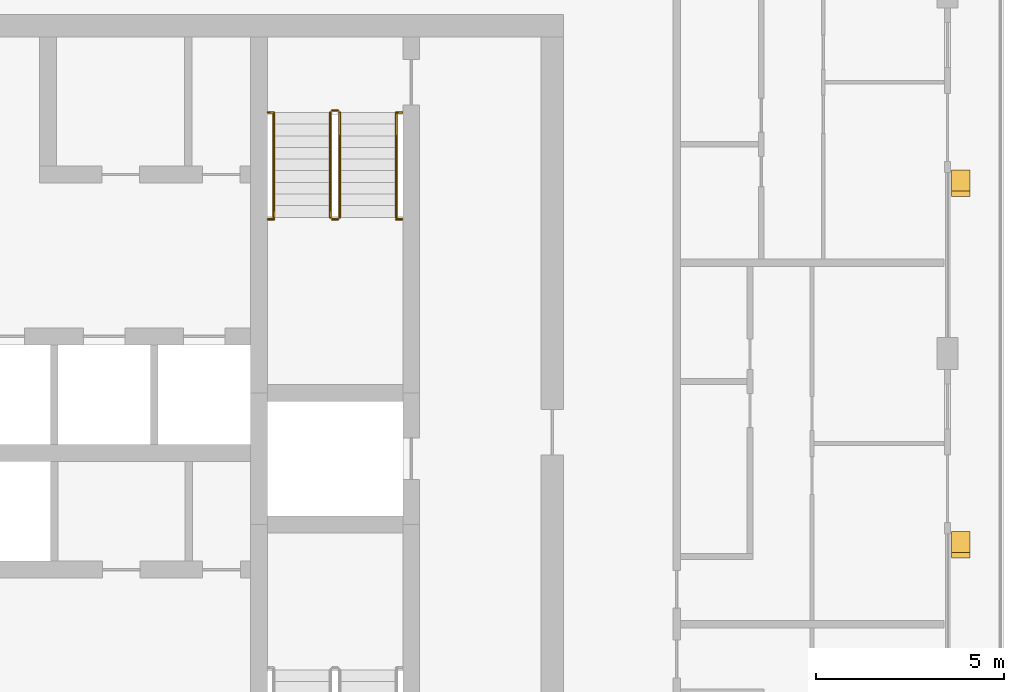
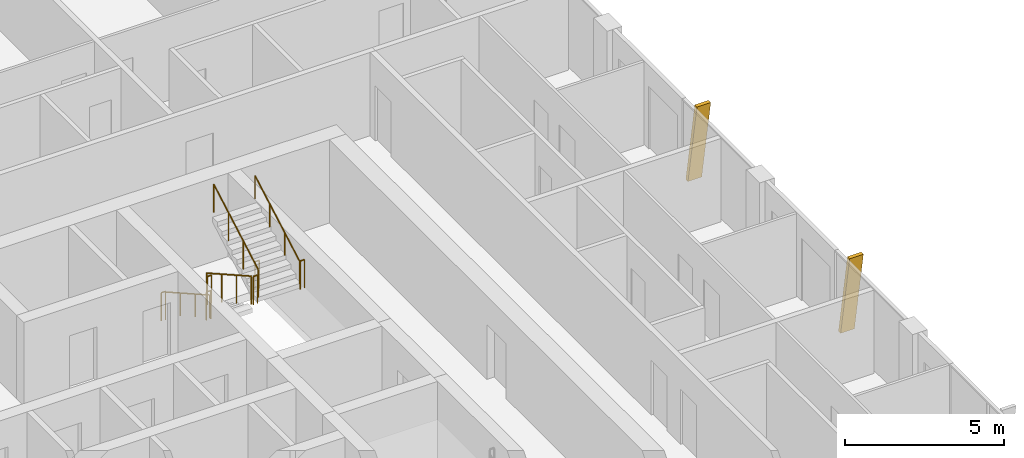
# One storey, part 21 of 22: 10 railings, 2 shading devices.
"""IFC4 building model written with IfcOpenShell, lengths in metres."""

from ifc_helpers import new_model, si_unit, direction, frame, origin, origin_2d, place, context, subcontext, project, spatial, polyline, circle, outline, extrude, material, type_object, element, save


model = new_model("IFC4")

# Units and contexts
model_context = context("Model", 3, precision=1e-05, world=origin(), true_north=direction((0.0, 1.0)))
body_context = subcontext(model_context, "Body", "Model", "MODEL_VIEW")
ifc_project = project(units=[si_unit("LENGTHUNIT", "METRE"), si_unit("AREAUNIT", "SQUARE_METRE"), si_unit("VOLUMEUNIT", "CUBIC_METRE"), si_unit("PLANEANGLEUNIT", "RADIAN"), si_unit("MASSUNIT", "GRAM", prefix="KILO")], contexts=[model_context])

# Site, building, storey
site_placement = place(None, origin())
site = spatial("IfcSite", under=ifc_project, at=site_placement, CompositionType="ELEMENT")
building_placement = place(site_placement, origin())
building = spatial("IfcBuilding", under=site, at=building_placement, Name="Madar Terraces", CompositionType="ELEMENT")
storey_placement = place(building_placement, frame((0.0, 0.0, 249.199951171875)))
storey = spatial("IfcBuildingStorey", under=building, at=storey_placement, Name="L65", CompositionType="ELEMENT", Elevation=249.199951171875)

# Shading devices
ifc_material_1 = material(Name="Aluminium, black anodised", Category="aluminium")
shading_device_type = type_object("IfcShadingDeviceType", Name="Facade fin blade 140 x 500", PredefinedType="USERDEFINED", material=ifc_material_1)
shading_device_1_placement = place(storey_placement, frame((57.949951171875, 23.929931640625, 0.0), z_axis=(0.0, 0.0, 1.0), x_axis=(0.0, 1.0, 0.0)))
element("IfcShadingDevice", 1, at=shading_device_1_placement, inside=storey, type_object=shading_device_type, Name="FIN L65 E2", ObjectType="FIN", PredefinedType="USERDEFINED", context=body_context, shape_type="SweptSolid", body=[
    extrude(outline(polyline([(0.0, 0.0), (0.14013671875, 0.0), (-0.42431640625, 3.199951171875), (-0.564208984375, 3.199951171875), (0.0, 0.0)])), frame((0.0, 0.25, 0.0), z_axis=(0.0, -1.0, 0.0), x_axis=(1.0, 0.0, 0.0)), (0.0, 0.0, 1.0), 0.5),
])
shading_device_2_placement = place(storey_placement, frame((57.949951171875, 33.530029296875, 0.0), z_axis=(0.0, 0.0, 1.0), x_axis=(0.0, 1.0, 0.0)))
element("IfcShadingDevice", 2, at=shading_device_2_placement, inside=storey, type_object=shading_device_type, Name="FIN L65 E3", ObjectType="FIN", PredefinedType="USERDEFINED", context=body_context, shape_type="SweptSolid", body=[
    extrude(outline(polyline([(0.0, 0.0), (0.139892578125, 0.0), (-0.42431640625, 3.199951171875), (-0.564208984375, 3.199951171875), (0.0, 0.0)])), frame((0.0, 0.25, 0.0), z_axis=(0.0, -1.0, 0.0), x_axis=(1.0, 0.0, 0.0)), (0.0, 0.0, 1.0), 0.5),
])

# Railings
ifc_material_2 = material(Name="Stainless steel railing", Category="steel")
railing_type_1 = type_object("IfcRailingType", Name="Stair guard 1100", PredefinedType="GUARDRAIL", material=ifc_material_2)
railing_1_placement = place(storey_placement, frame((41.199951171875, 35.199951171875, 0.175048828125)))
element("IfcRailing", 3, at=railing_1_placement, inside=storey, type_object=railing_type_1, Name="L65 ST2 stair guard 1", PredefinedType="GUARDRAIL", context=body_context, shape_type="SweptSolid", body=[
    extrude(circle(Radius=0.02392578125, at=origin_2d()), frame((0.0, 0.0, 1.076171875), z_axis=(0.0, -0.870833779661, 0.491577591232), x_axis=(1.0, 0.0, 0.0)), (0.0, 0.0, 1.0), 3.203857421875),
    extrude(circle(Radius=0.02099609375, at=origin_2d()), origin(), (0.0, 0.0, 1.0), 1.052001953125),
    extrude(circle(Radius=0.02099609375, at=origin_2d()), frame((0.0, -0.929931640625, 0.52490234375)), (0.0, 0.0, 1.0), 1.052001953125),
    extrude(circle(Radius=0.02099609375, at=origin_2d()), frame((0.0, -1.860107421875, 1.050048828125)), (0.0, 0.0, 1.0), 1.052001953125),
    extrude(circle(Radius=0.02099609375, at=origin_2d()), frame((0.0, -2.7900390625, 1.574951171875)), (0.0, 0.0, 1.0), 1.052001953125),
])
railing_2_placement = place(storey_placement, frame((41.25, 32.360107421875, 1.75)))
element("IfcRailing", 4, at=railing_2_placement, inside=storey, type_object=railing_type_1, Name="L65 ST2 stair guard 2", PredefinedType="GUARDRAIL", context=body_context, shape_type="SweptSolid", body=[
    extrude(circle(Radius=0.02392578125, at=origin_2d()), frame((0.0, 0.0, 1.076171875), z_axis=(1.0, 0.0, 0.0), x_axis=(0.0, 1.0, 0.0)), (0.0, 0.0, 1.0), 0.14990234375),
    extrude(circle(Radius=0.02099609375, at=origin_2d()), origin(), (0.0, 0.0, 1.0), 1.052001953125),
    extrude(circle(Radius=0.02099609375, at=origin_2d()), frame((0.14990234375, 0.0, 0.0)), (0.0, 0.0, 1.0), 1.052001953125),
])
railing_3_placement = place(storey_placement, frame((41.449951171875, 32.409912109375, 1.925048828125)))
element("IfcRailing", 5, at=railing_3_placement, inside=storey, type_object=railing_type_1, Name="L65 ST2 stair guard 3", PredefinedType="GUARDRAIL", context=body_context, shape_type="SweptSolid", body=[
    extrude(circle(Radius=0.02392578125, at=origin_2d()), frame((0.0, 0.0, 1.076171875), z_axis=(0.0, 0.870833779661, 0.491577591232), x_axis=(-1.0, 0.0, 0.0)), (0.0, 0.0, 1.0), 3.203857421875),
    extrude(circle(Radius=0.02099609375, at=origin_2d()), origin(), (0.0, 0.0, 1.0), 1.052001953125),
    extrude(circle(Radius=0.02099609375, at=origin_2d()), frame((0.0, 0.929931640625, 0.52490234375)), (0.0, 0.0, 1.0), 1.052001953125),
    extrude(circle(Radius=0.02099609375, at=origin_2d()), frame((0.0, 1.860107421875, 1.050048828125)), (0.0, 0.0, 1.0), 1.052001953125),
    extrude(circle(Radius=0.02099609375, at=origin_2d()), frame((0.0, 2.7900390625, 1.574951171875)), (0.0, 0.0, 1.0), 1.052001953125),
])
railing_4_placement = place(storey_placement, frame((41.25, 35.25, 0.0)))
element("IfcRailing", 6, at=railing_4_placement, inside=storey, type_object=railing_type_1, Name="L65 ST2 stair guard 4", PredefinedType="GUARDRAIL", context=body_context, shape_type="SweptSolid", body=[
    extrude(circle(Radius=0.02392578125, at=origin_2d()), frame((0.0, 0.0, 1.076171875), z_axis=(1.0, 0.0, 0.0), x_axis=(0.0, 1.0, 0.0)), (0.0, 0.0, 1.0), 0.14990234375),
    extrude(circle(Radius=0.02099609375, at=origin_2d()), origin(), (0.0, 0.0, 1.0), 1.052001953125),
    extrude(circle(Radius=0.02099609375, at=origin_2d()), frame((0.14990234375, 0.0, 0.0)), (0.0, 0.0, 1.0), 1.052001953125),
])
for number, where, name in (
    (7, (39.544921875, 32.360107421875, 1.75), "L65 stair guard seat 1"),
    (8, (42.949951171875, 32.360107421875, 1.75), "L65 stair guard seat 2"),
    (9, (39.544921875, 35.199951171875, 0.0), "L65 stair guard floor 1"),
    (10, (42.949951171875, 35.199951171875, 0.0), "L65 stair guard floor 2"),
):
    element("IfcRailing", number, at=place(storey_placement, frame(where)), inside=storey, type_object=railing_type_1, Name=name, PredefinedType="GUARDRAIL", context=body_context, shape_type="SweptSolid", body=[
        extrude(circle(Radius=0.02392578125, at=origin_2d()), frame((0.0, 0.0, 1.076171875), z_axis=(1.0, 0.0, 0.0), x_axis=(0.0, 1.0, 0.0)), (0.0, 0.0, 1.0), 0.155029296875),
        extrude(circle(Radius=0.02099609375, at=origin_2d()), origin(), (0.0, 0.0, 1.0), 1.052001953125),
        extrude(circle(Radius=0.02099609375, at=origin_2d()), frame((0.155029296875, 0.0, 0.0)), (0.0, 0.0, 1.0), 1.052001953125),
    ])
ifc_material_3 = material(Name="Stainless steel railing", Category="steel")
railing_type_2 = type_object("IfcRailingType", Name="Stair handrail 900", PredefinedType="HANDRAIL", material=ifc_material_3)
railing_5_placement = place(storey_placement, frame((39.699951171875, 35.199951171875, 0.175048828125)))
element("IfcRailing", 11, at=railing_5_placement, inside=storey, type_object=railing_type_2, Name="L65 ST2 stair handrail 1", PredefinedType="HANDRAIL", context=body_context, shape_type="SweptSolid", body=[
    extrude(circle(Radius=0.02392578125, at=origin_2d()), frame((0.0, 0.0, 0.8759765625), z_axis=(0.0, -0.870833779661, 0.491577591232), x_axis=(1.0, 0.0, 0.0)), (0.0, 0.0, 1.0), 3.203857421875),
    extrude(circle(Radius=0.02099609375, at=origin_2d()), origin(), (0.0, 0.0, 1.0), 0.851806640625),
    extrude(circle(Radius=0.02099609375, at=origin_2d()), frame((0.0, -0.929931640625, 0.52490234375)), (0.0, 0.0, 1.0), 0.851806640625),
    extrude(circle(Radius=0.02099609375, at=origin_2d()), frame((0.0, -1.860107421875, 1.050048828125)), (0.0, 0.0, 1.0), 0.851806640625),
    extrude(circle(Radius=0.02099609375, at=origin_2d()), frame((0.0, -2.7900390625, 1.574951171875)), (0.0, 0.0, 1.0), 0.851806640625),
])
railing_6_placement = place(storey_placement, frame((42.949951171875, 32.409912109375, 1.925048828125)))
element("IfcRailing", 12, at=railing_6_placement, inside=storey, type_object=railing_type_2, Name="L65 ST2 stair handrail 2", PredefinedType="HANDRAIL", context=body_context, shape_type="SweptSolid", body=[
    extrude(circle(Radius=0.02392578125, at=origin_2d()), frame((0.0, 0.0, 0.8759765625), z_axis=(0.0, 0.870833779661, 0.491577591232), x_axis=(-1.0, 0.0, 0.0)), (0.0, 0.0, 1.0), 3.203857421875),
    extrude(circle(Radius=0.02099609375, at=origin_2d()), origin(), (0.0, 0.0, 1.0), 0.851806640625),
    extrude(circle(Radius=0.02099609375, at=origin_2d()), frame((0.0, 0.929931640625, 0.52490234375)), (0.0, 0.0, 1.0), 0.851806640625),
    extrude(circle(Radius=0.02099609375, at=origin_2d()), frame((0.0, 1.860107421875, 1.050048828125)), (0.0, 0.0, 1.0), 0.851806640625),
    extrude(circle(Radius=0.02099609375, at=origin_2d()), frame((0.0, 2.7900390625, 1.574951171875)), (0.0, 0.0, 1.0), 0.851806640625),
])

save(model, "model.ifc")
